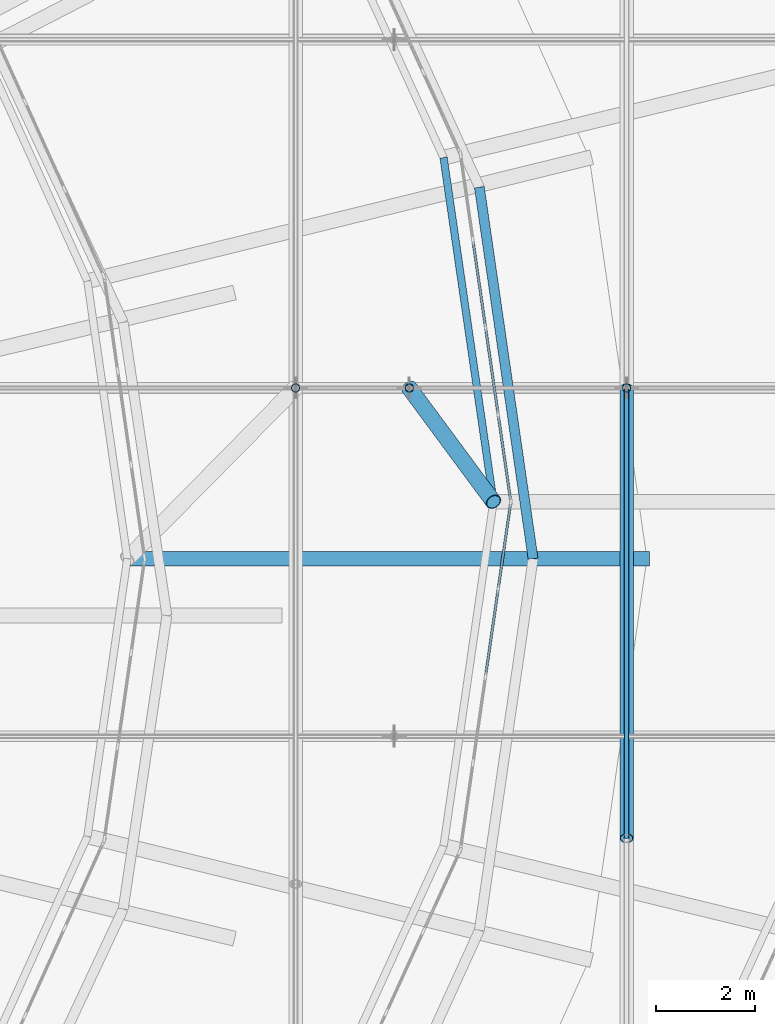
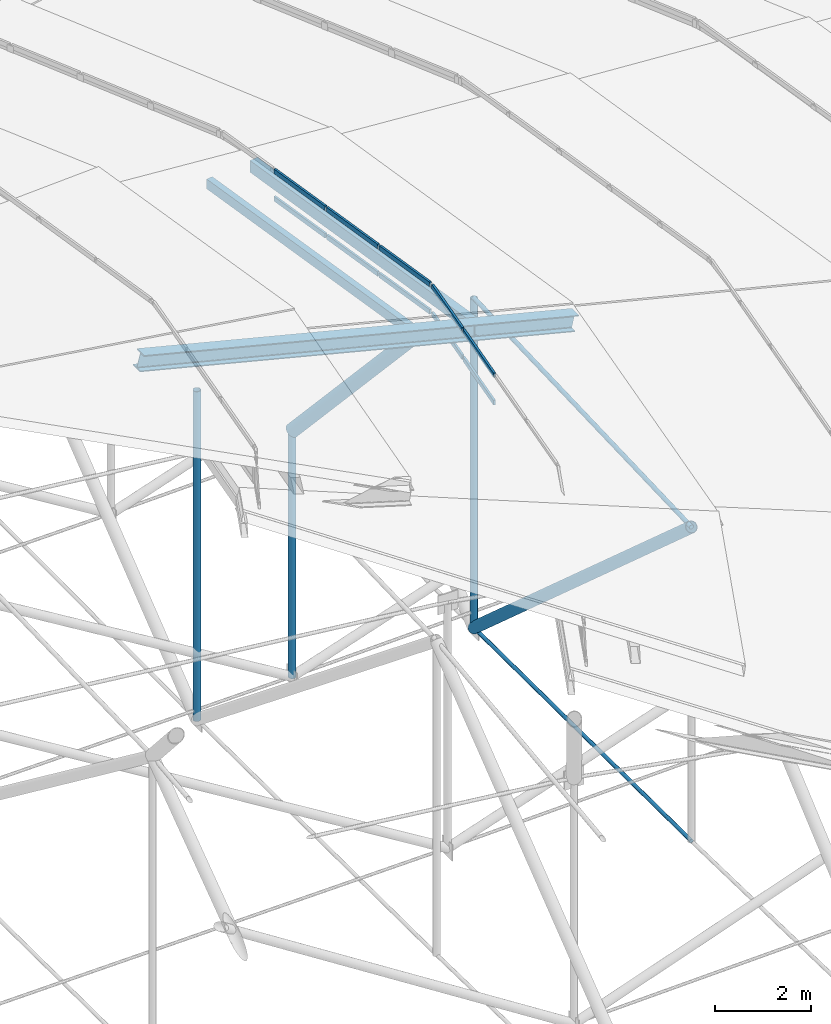
# One storey, part 88 of 173: 20 members, 2 elements without a shape of their own.
"""IFC4 building model written with IfcOpenShell, lengths in metres."""

from ifc_helpers import new_model, si_unit, direction, frame, origin, origin_2d, place, context, subcontext, project, spatial, rectangle, hollow_rectangle, circle, hollow_circle, i_section, extrude, material, material_profile, profile_set, type_object, element, aggregate, save


model = new_model("IFC4")

# Units and contexts
model_context = context("Model", 3, precision=1e-05, world=origin(), true_north=direction((0.0, 1.0)))
body_context = subcontext(model_context, "Body", "Model", "MODEL_VIEW")
ifc_project = project(units=[si_unit("LENGTHUNIT", "METRE"), si_unit("AREAUNIT", "SQUARE_METRE"), si_unit("VOLUMEUNIT", "CUBIC_METRE"), si_unit("PLANEANGLEUNIT", "RADIAN"), si_unit("MASSUNIT", "GRAM", prefix="KILO")], contexts=[model_context])

# Site, building, storey
site_placement = place(None, origin())
site = spatial("IfcSite", under=ifc_project, at=site_placement, CompositionType="ELEMENT")
building_placement = place(site_placement, origin())
building = spatial("IfcBuilding", under=site, at=building_placement, Name="Glasvene Arena", CompositionType="ELEMENT")
storey_placement = place(building_placement, frame((0.0, 0.0, 28.800048828125)))
storey = spatial("IfcBuildingStorey", under=building, at=storey_placement, Name="RF", CompositionType="ELEMENT", Elevation=28.800048828125)

# Curtain wall, members
ifc_material_1 = material(Name="Low-emissivity laminated double glazing", Category="glass")
curtain_wall_type = type_object("IfcCurtainWallType", Name="CW-PET3-711x75", PredefinedType="USERDEFINED", material=ifc_material_1)
curtain_wall_1_placement = place(storey_placement, frame((119.050048828125, 70.699951171875, 0.0)))
curtain_wall_1 = element("IfcCurtainWall", 1, at=curtain_wall_1_placement, inside=storey, type_object=curtain_wall_type, Name="Petal ring 3-4 clerestory curtain wall 01", ObjectType="CURTAIN WALL", PredefinedType="USERDEFINED")
ifc_material_2 = material(Name="Anodised architectural aluminium", Category="aluminium")
ifc_material_profile_1 = material_profile(ifc_material_2, rectangle(XDim=0.050048828125, YDim=0.1201171875, at=origin_2d()), Name="ALU TRANSOM 50x120")
ifc_profile_set_1 = profile_set([ifc_material_profile_1], Name="Anodised architectural aluminium")
member_type_1 = type_object("IfcMemberType", Name="CW-TRN-120", PredefinedType="USERDEFINED", material=ifc_profile_set_1)
member_1_placement = place(storey_placement, frame((119.042724609375, 70.74951171875, 7.85498046875), z_axis=(-0.143467726456, 0.989654996181, 0.0), x_axis=(-0.989654996181, -0.143467726456, 0.0)))
member_1 = element("IfcMember", 2, at=member_1_placement, type_object=member_type_1, Name="CW-093 transom 1.1", ObjectType="TRANSOM", PredefinedType="USERDEFINED", context=body_context, shape_type="SweptSolid", body=[
    extrude(rectangle(XDim=0.050048828125, YDim=0.1201171875, at=origin_2d()), origin(), (0.0, 0.0, 1.0), 1.703369140625),
])
member_2_placement = place(storey_placement, frame((119.042724609375, 70.74951171875, 8.554931640625), z_axis=(-0.143467726456, 0.989654996181, 0.0), x_axis=(-0.989654996181, -0.143467726456, 0.0)))
member_2 = element("IfcMember", 3, at=member_2_placement, type_object=member_type_1, Name="CW-093 transom 1.2", ObjectType="TRANSOM", PredefinedType="USERDEFINED", context=body_context, shape_type="SweptSolid", body=[
    extrude(rectangle(XDim=0.050048828125, YDim=0.1201171875, at=origin_2d()), origin(), (0.0, 0.0, 1.0), 1.703369140625),
])
member_3_placement = place(storey_placement, frame((118.791259765625, 72.484619140625, 7.85498046875), z_axis=(-0.143358902175, 0.989670766047, 0.0), x_axis=(-0.989670766047, -0.143358902175, 0.0)))
member_3 = element("IfcMember", 4, at=member_3_placement, type_object=member_type_1, Name="CW-093 transom 2.1", ObjectType="TRANSOM", PredefinedType="USERDEFINED", context=body_context, shape_type="SweptSolid", body=[
    extrude(rectangle(XDim=0.050048828125, YDim=0.1201171875, at=origin_2d()), origin(), (0.0, 0.0, 1.0), 1.728515625),
])
member_4_placement = place(storey_placement, frame((118.791259765625, 72.484619140625, 8.554931640625), z_axis=(-0.143358902175, 0.989670766047, 0.0), x_axis=(-0.989670766047, -0.143358902175, 0.0)))
member_4 = element("IfcMember", 5, at=member_4_placement, type_object=member_type_1, Name="CW-093 transom 2.2", ObjectType="TRANSOM", PredefinedType="USERDEFINED", context=body_context, shape_type="SweptSolid", body=[
    extrude(rectangle(XDim=0.050048828125, YDim=0.1201171875, at=origin_2d()), origin(), (0.0, 0.0, 1.0), 1.728515625),
])
member_5_placement = place(storey_placement, frame((118.5361328125, 74.24462890625, 7.85498046875), z_axis=(-0.143378943854, 0.989667862699, 0.0), x_axis=(-0.989667862699, -0.143378943854, 0.0)))
member_5 = element("IfcMember", 6, at=member_5_placement, type_object=member_type_1, Name="CW-093 transom 3.1", ObjectType="TRANSOM", PredefinedType="USERDEFINED", context=body_context, shape_type="SweptSolid", body=[
    extrude(rectangle(XDim=0.050048828125, YDim=0.1201171875, at=origin_2d()), origin(), (0.0, 0.0, 1.0), 1.728271484375),
])
member_6_placement = place(storey_placement, frame((118.5361328125, 74.24462890625, 8.554931640625), z_axis=(-0.143378943854, 0.989667862699, 0.0), x_axis=(-0.989667862699, -0.143378943854, 0.0)))
member_6 = element("IfcMember", 7, at=member_6_placement, type_object=member_type_1, Name="CW-093 transom 3.2", ObjectType="TRANSOM", PredefinedType="USERDEFINED", context=body_context, shape_type="SweptSolid", body=[
    extrude(rectangle(XDim=0.050048828125, YDim=0.1201171875, at=origin_2d()), origin(), (0.0, 0.0, 1.0), 1.728271484375),
])
aggregate(curtain_wall_1, [member_1, member_2, member_3, member_4, member_5, member_6])

curtain_wall_2_placement = place(storey_placement, frame((118.029541015625, 63.66015625, 0.0)))
curtain_wall_2 = element("IfcCurtainWall", 8, at=curtain_wall_2_placement, inside=storey, type_object=curtain_wall_type, Name="Petal ring 3-4 clerestory curtain wall 24", ObjectType="CURTAIN WALL", PredefinedType="USERDEFINED")
member_7_placement = place(storey_placement, frame((118.54345703125, 67.204833984375, 7.85498046875), z_axis=(0.143378943854, 0.989667862699, 0.0), x_axis=(-0.989667862699, 0.143378943854, 0.0)))
member_7 = element("IfcMember", 9, at=member_7_placement, type_object=member_type_1, Name="CW-093 transom 3.1", ObjectType="TRANSOM", PredefinedType="USERDEFINED", context=body_context, shape_type="SweptSolid", body=[
    extrude(rectangle(XDim=0.050048828125, YDim=0.1201171875, at=origin_2d()), origin(), (0.0, 0.0, 1.0), 1.728271484375),
])
member_8_placement = place(storey_placement, frame((118.54345703125, 67.204833984375, 8.554931640625), z_axis=(0.143378943854, 0.989667862699, 0.0), x_axis=(-0.989667862699, 0.143378943854, 0.0)))
member_8 = element("IfcMember", 10, at=member_8_placement, type_object=member_type_1, Name="CW-093 transom 3.2", ObjectType="TRANSOM", PredefinedType="USERDEFINED", context=body_context, shape_type="SweptSolid", body=[
    extrude(rectangle(XDim=0.050048828125, YDim=0.1201171875, at=origin_2d()), origin(), (0.0, 0.0, 1.0), 1.728271484375),
])
member_9_placement = place(storey_placement, frame((118.79833984375, 68.96484375, 7.85498046875), z_axis=(0.143467726456, 0.989654996181, 0.0), x_axis=(-0.989654996181, 0.143467726456, 0.0)))
member_9 = element("IfcMember", 11, at=member_9_placement, type_object=member_type_1, Name="CW-093 transom 4.1", ObjectType="TRANSOM", PredefinedType="USERDEFINED", context=body_context, shape_type="SweptSolid", body=[
    extrude(rectangle(XDim=0.050048828125, YDim=0.1201171875, at=origin_2d()), origin(), (0.0, 0.0, 1.0), 1.703369140625),
])
member_10_placement = place(storey_placement, frame((118.79833984375, 68.96484375, 8.554931640625), z_axis=(0.143467726456, 0.989654996181, 0.0), x_axis=(-0.989654996181, 0.143467726456, 0.0)))
member_10 = element("IfcMember", 12, at=member_10_placement, type_object=member_type_1, Name="CW-093 transom 4.2", ObjectType="TRANSOM", PredefinedType="USERDEFINED", context=body_context, shape_type="SweptSolid", body=[
    extrude(rectangle(XDim=0.050048828125, YDim=0.1201171875, at=origin_2d()), origin(), (0.0, 0.0, 1.0), 1.703369140625),
])
aggregate(curtain_wall_2, [member_7, member_8, member_9, member_10])

# Members
ifc_material_3 = material(Name="High-strength steel spiral strand S460", Category="steel")
ifc_material_profile_2 = material_profile(ifc_material_3, circle(Radius=0.052490234375, at=origin_2d()), Name="LCSS D105")
ifc_profile_set_2 = profile_set([ifc_material_profile_2], Name="High-strength steel spiral strand S460")
member_type_2 = type_object("IfcMemberType", Name="MB-CABLE-105", PredefinedType="USERDEFINED", material=ifc_profile_set_2)
member_11_placement = place(storey_placement, frame((121.389404296875, 63.898681640625, 5.6904296875), z_axis=(0.0, 0.999344938409, 0.036189695723), x_axis=(-1.0, 0.0, 0.0)))
element("IfcMember", 13, at=member_11_placement, inside=storey, type_object=member_type_2, Name="Upper lens roof cable NS01-04", ObjectType="ROOF CABLE", PredefinedType="USERDEFINED", context=body_context, shape_type="SweptSolid", body=[
    extrude(circle(Radius=0.052490234375, at=origin_2d()), origin(), (0.0, 0.0, 1.0), 9.107177734375),
])
ifc_material_profile_3 = material_profile(ifc_material_3, circle(Radius=0.044921875, at=origin_2d()), Name="LCSS D90")
ifc_profile_set_3 = profile_set([ifc_material_profile_3], Name="High-strength steel spiral strand S460")
member_type_3 = type_object("IfcMemberType", Name="MB-CABLE-90", PredefinedType="USERDEFINED", material=ifc_profile_set_3)
member_12_placement = place(storey_placement, frame((121.389404296875, 63.898681640625, -2.328125), z_axis=(0.0, 0.999968691293, -0.00791305464), x_axis=(-1.0, 0.0, 0.0)))
element("IfcMember", 14, at=member_12_placement, inside=storey, type_object=member_type_3, Name="Lower stabilization roof cable NS01-04", ObjectType="ROOF CABLE", PredefinedType="USERDEFINED", context=body_context, shape_type="SweptSolid", body=[
    extrude(circle(Radius=0.044921875, at=origin_2d()), origin(), (0.0, 0.0, 1.0), 9.1015625),
])
ifc_material_4 = material(Name="Steel S355J2", Category="steel")
ifc_material_profile_4 = material_profile(ifc_material_4, i_section(OverallWidth=0.300048828125, OverallDepth=0.39990234375, WebThickness=0.013427734375, FlangeThickness=0.02392578125, FilletRadius=0.027099609375, at=origin_2d()), Name="HEB 400")
ifc_profile_set_4 = profile_set([ifc_material_profile_4], Name="Steel S355J2")
member_type_4 = type_object("IfcMemberType", Name="MB-CHORD-HEB400", PredefinedType="CHORD", material=ifc_profile_set_4)
member_13_placement = place(storey_placement, frame((121.800048828125, 69.550048828125, 7.39990234375), z_axis=(-0.969593665978, 0.0, 0.244720499539), x_axis=(0.0, -1.0, 0.0)))
element("IfcMember", 15, at=member_13_placement, inside=storey, type_object=member_type_4, Name="Petal ring 4 radial rib 01", PredefinedType="CHORD", context=body_context, shape_type="SweptSolid", body=[
    extrude(i_section(OverallWidth=0.300048828125, OverallDepth=0.39990234375, WebThickness=0.013427734375, FlangeThickness=0.02392578125, FilletRadius=0.027099609375, at=origin_2d()), origin(), (0.0, 0.0, 1.0), 10.829345703125),
])
ifc_material_profile_5 = material_profile(ifc_material_4, hollow_circle(Radius=0.161865234375, WallThickness=0.01611328125, at=origin_2d()), Name="CHS 323.9x16.0")
ifc_profile_set_5 = profile_set([ifc_material_profile_5], Name="Steel S355J2")
member_type_5 = type_object("IfcMemberType", Name="MB-POST-CHS324", PredefinedType="BRACE", material=ifc_profile_set_5)
member_14_placement = place(storey_placement, frame((117.0, 73.0, 4.1669921875), z_axis=(0.391652419819, -0.529909155122, 0.752199886578), x_axis=(0.804190333363, 0.594371859803, 0.0)))
element("IfcMember", 16, at=member_14_placement, inside=storey, type_object=member_type_5, Name="Petal ring 3 ridge support post 01", PredefinedType="BRACE", context=body_context, shape_type="SweptSolid", body=[
    extrude(hollow_circle(Radius=0.161865234375, WallThickness=0.01611328125, at=origin_2d()), origin(), (0.0, 0.0, 1.0), 4.340576171875),
])
ifc_material_profile_6 = material_profile(ifc_material_4, hollow_rectangle(XDim=0.14990234375, YDim=0.25, WallThickness=0.010009765625, at=origin_2d()), Name="RHS 250x150x10.0")
ifc_profile_set_6 = profile_set([ifc_material_profile_6], Name="Steel S355J2")
member_type_6 = type_object("IfcMemberType", Name="MB-PURLIN-RHS250", PredefinedType="PURLIN", material=ifc_profile_set_6)
member_15_placement = place(storey_placement, frame((118.699951171875, 70.699951171875, 7.431884765625), z_axis=(-0.14352227887, 0.989647086323, 0.0), x_axis=(-0.989647086323, -0.14352227887, 0.0)))
element("IfcMember", 17, at=member_15_placement, inside=storey, type_object=member_type_6, Name="Petal ring 3 ridge purlin 01", PredefinedType="PURLIN", context=body_context, shape_type="SweptSolid", body=[
    extrude(hollow_rectangle(XDim=0.14990234375, YDim=0.25, WallThickness=0.010009765625, at=origin_2d()), origin(), (0.0, 0.0, 1.0), 7.027099609375),
])
ifc_material_profile_7 = material_profile(ifc_material_4, hollow_rectangle(XDim=0.199951171875, YDim=0.300048828125, WallThickness=0.012451171875, at=origin_2d()), Name="RHS 300x200x12.5")
ifc_profile_set_7 = profile_set([ifc_material_profile_7], Name="Steel S355J2")
member_type_7 = type_object("IfcMemberType", Name="MB-PURLIN-RHS300", PredefinedType="PURLIN", material=ifc_profile_set_7)
member_16_placement = place(storey_placement, frame((119.5, 69.550048828125, 8.00048828125), z_axis=(-0.143093204238, 0.989709217347, 0.0), x_axis=(-0.989709217347, -0.143093204238, 0.0)))
element("IfcMember", 18, at=member_16_placement, inside=storey, type_object=member_type_7, Name="Petal ring 4 outer purlin 01", PredefinedType="PURLIN", context=body_context, shape_type="SweptSolid", body=[
    extrude(hollow_rectangle(XDim=0.199951171875, YDim=0.300048828125, WallThickness=0.012451171875, at=origin_2d()), origin(), (0.0, 0.0, 1.0), 7.583984375),
])
ifc_material_profile_8 = material_profile(ifc_material_4, hollow_circle(Radius=0.084228515625, WallThickness=0.008056640625, at=origin_2d()), Name="CHS 168.3x8.0")
ifc_profile_set_8 = profile_set([ifc_material_profile_8], Name="Steel S355J2")
member_type_8 = type_object("IfcMemberType", Name="MB-WEB-CHS168", PredefinedType="BRACE", material=ifc_profile_set_8)
for number, where, z_axis, x_axis, name in (
    (19, (121.389404296875, 73.0, -2.400146484375), (0.0, 0.0, 1.0), (1.0, 0.0, 0.0), "Cable-truss vertical strut NS01-04"),
    (20, (114.699462890625, 73.0, -2.400146484375), (0.0, 0.0, 1.0), (1.0, 0.0, 0.0), "Cable-truss vertical strut NS02-04"),
):
    element("IfcMember", number, at=place(storey_placement, frame(where, z_axis=z_axis, x_axis=x_axis)), inside=storey, type_object=member_type_8, Name=name, PredefinedType="BRACE", context=body_context, shape_type="SweptSolid", body=[
        extrude(hollow_circle(Radius=0.084228515625, WallThickness=0.008056640625, at=origin_2d()), origin(), (0.0, 0.0, 1.0), 8.420166015625),
    ])
member_17_placement = place(storey_placement, frame((117.0, 73.0, -2.112548828125), z_axis=(0.0, 0.0, 1.0), x_axis=(1.0, 0.0, 0.0)))
element("IfcMember", 21, at=member_17_placement, inside=storey, type_object=member_type_8, Name="Cable-truss vertical strut EW04-06", PredefinedType="BRACE", context=body_context, shape_type="SweptSolid", body=[
    extrude(hollow_circle(Radius=0.084228515625, WallThickness=0.008056640625, at=origin_2d()), origin(), (0.0, 0.0, 1.0), 6.279541015625),
])
ifc_material_profile_9 = material_profile(ifc_material_4, hollow_circle(Radius=0.136474609375, WallThickness=0.012451171875, at=origin_2d()), Name="CHS 273.0x12.5")
ifc_profile_set_9 = profile_set([ifc_material_profile_9], Name="Steel S355J2")
member_type_9 = type_object("IfcMemberType", Name="MB-WEB-CHS273", PredefinedType="BRACE", material=ifc_profile_set_9)
member_18_placement = place(storey_placement, frame((121.389404296875, 63.898681640625, 5.6904296875), z_axis=(0.0, 0.747388301943, -0.66438748191), x_axis=(-1.0, 0.0, 0.0)))
element("IfcMember", 22, at=member_18_placement, inside=storey, type_object=member_type_9, Name="Cable-truss diagonal web strut NS01-04", PredefinedType="BRACE", context=body_context, shape_type="SweptSolid", body=[
    extrude(hollow_circle(Radius=0.136474609375, WallThickness=0.012451171875, at=origin_2d()), origin(), (0.0, 0.0, 1.0), 12.177490234375),
])

save(model, "model.ifc")
